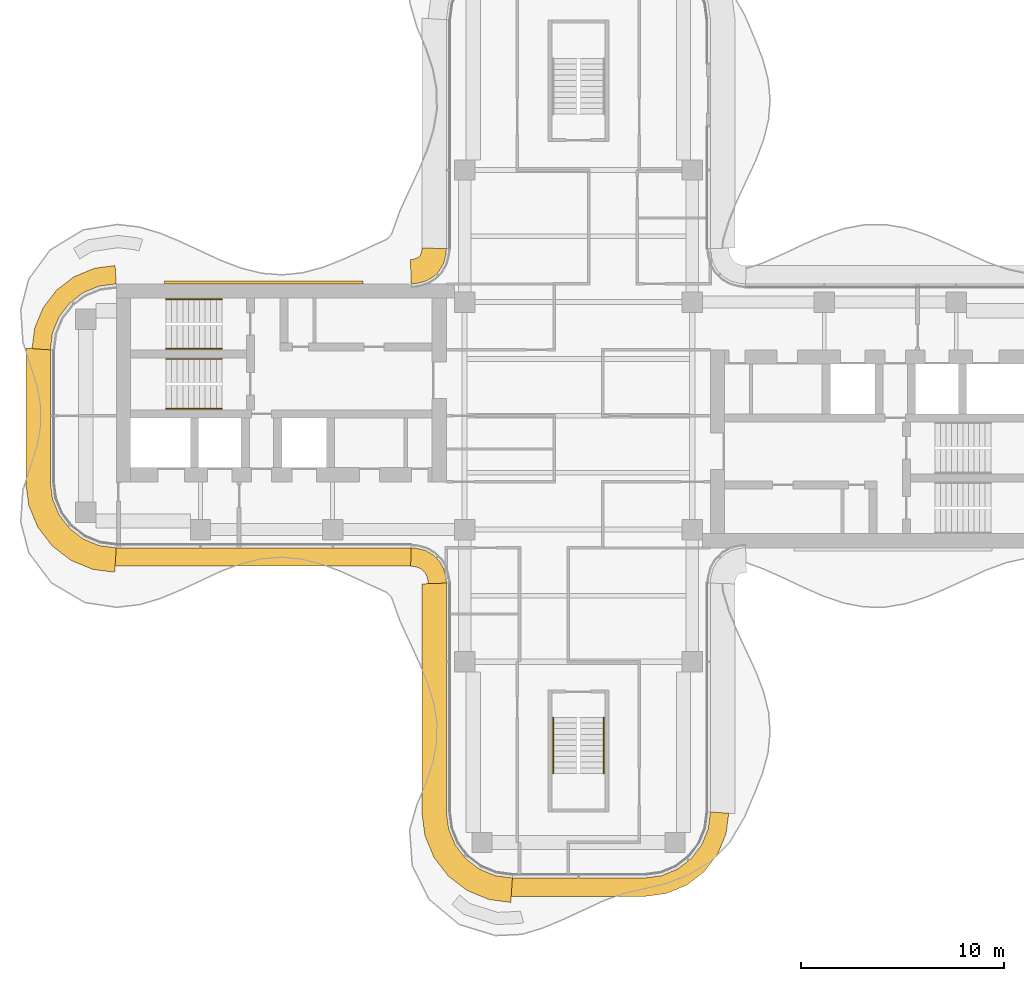
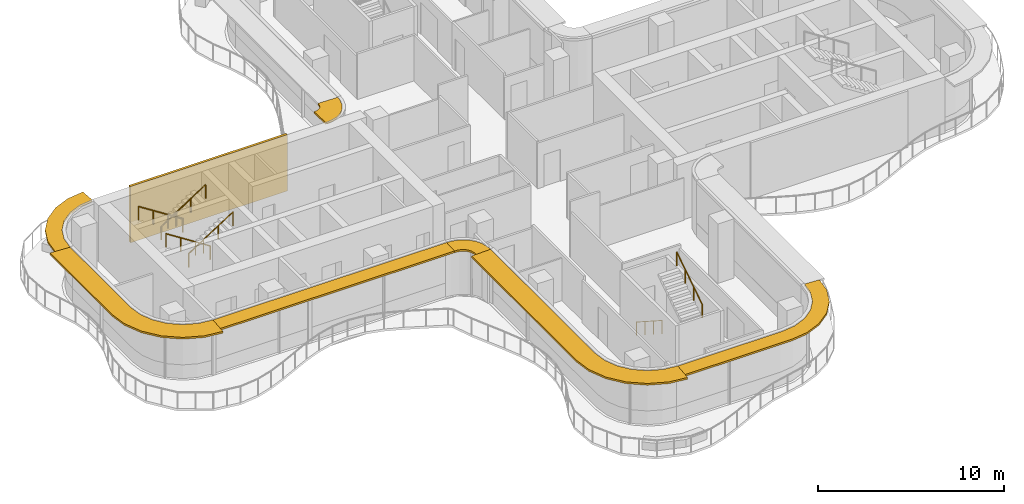
# One storey, part 14 of 15: 7 shading devices, 6 railings, 1 covering.
"""IFC4 building model written with IfcOpenShell, lengths in metres."""

from ifc_helpers import new_model, si_unit, direction, frame, origin, origin_2d, place, context, subcontext, project, spatial, polyline, circle, outline, extrude, source, transform, mapped, material, layer, layer_set, type_object, element, save


model = new_model("IFC4")

# Units and contexts
model_context = context("Model", 3, precision=1e-05, world=origin(), true_north=direction((0.0, 1.0)))
body_context = subcontext(model_context, "Body", "Model", "MODEL_VIEW")
ifc_project = project(units=[si_unit("LENGTHUNIT", "METRE"), si_unit("AREAUNIT", "SQUARE_METRE"), si_unit("VOLUMEUNIT", "CUBIC_METRE"), si_unit("PLANEANGLEUNIT", "RADIAN"), si_unit("MASSUNIT", "GRAM", prefix="KILO")], contexts=[model_context])

# Site, building, storey
site_placement = place(None, origin())
site = spatial("IfcSite", under=ifc_project, at=site_placement, CompositionType="ELEMENT")
building_placement = place(site_placement, origin())
building = spatial("IfcBuilding", under=site, at=building_placement, Name="Trellis Farm Tower", CompositionType="ELEMENT")
storey_placement = place(building_placement, frame((0.0, 0.0, 287.199951171875)))
storey = spatial("IfcBuildingStorey", under=building, at=storey_placement, Name="L64", CompositionType="ELEMENT", Elevation=287.199951171875)

# Railings
ifc_material_1 = material(Name="Stainless steel", Category="steel")
railing_type = type_object("IfcRailingType", Name="STAIR HANDRAIL 900", PredefinedType="HANDRAIL", material=ifc_material_1)
shared_shape_1 = source(origin(), body_context, "Body", "SweptSolid", [
    extrude(circle(Radius=0.02392578125, at=origin_2d()), frame((0.0, 0.0, 0.8759765625), z_axis=(0.0, 0.840503830235, 0.541805602924), x_axis=(-1.0, 0.0, 0.0)), (0.0, 0.0, 1.0), 3.271728515625),
    extrude(circle(Radius=0.02099609375, at=origin_2d()), origin(), (0.0, 0.0, 1.0), 0.851806640625),
    extrude(circle(Radius=0.02099609375, at=origin_2d()), frame((0.0, 0.916748046875, 0.5908203125)), (0.0, 0.0, 1.0), 0.851806640625),
    extrude(circle(Radius=0.02099609375, at=origin_2d()), frame((0.0, 1.833251953125, 1.181884765625)), (0.0, 0.0, 1.0), 0.851806640625),
    extrude(circle(Radius=0.02099609375, at=origin_2d()), frame((0.0, 2.75, 1.772705078125)), (0.0, 0.0, 1.0), 0.851806640625),
])
railing_1_placement = place(storey_placement, frame((1.25, -17.60009765625, 2.12744140625)))
element("IfcRailing", 1, at=railing_1_placement, inside=storey, type_object=railing_type, Name="Stair handrail", PredefinedType="HANDRAIL", context=body_context, shape_type="MappedRepresentation", body=[
    mapped(shared_shape_1, transform((0.0, 0.0, 0.0))),
])
shared_shape_2 = source(origin(), body_context, "Body", "SweptSolid", [
    extrude(circle(Radius=0.02392578125, at=origin_2d()), frame((0.0, 0.0, 0.8759765625), z_axis=(0.0, -0.840503830235, 0.541805602924), x_axis=(1.0, 0.0, 0.0)), (0.0, 0.0, 1.0), 3.271728515625),
    extrude(circle(Radius=0.02099609375, at=origin_2d()), origin(), (0.0, 0.0, 1.0), 0.851806640625),
    extrude(circle(Radius=0.02099609375, at=origin_2d()), frame((0.0, -0.916748046875, 0.5908203125)), (0.0, 0.0, 1.0), 0.851806640625),
    extrude(circle(Radius=0.02099609375, at=origin_2d()), frame((0.0, -1.833251953125, 1.181884765625)), (0.0, 0.0, 1.0), 0.851806640625),
    extrude(circle(Radius=0.02099609375, at=origin_2d()), frame((0.0, -2.75, 1.772705078125)), (0.0, 0.0, 1.0), 0.851806640625),
])
railing_2_placement = place(storey_placement, frame((-1.25, -14.85009765625, 0.17724609375)))
element("IfcRailing", 2, at=railing_2_placement, inside=storey, type_object=railing_type, Name="Stair handrail", PredefinedType="HANDRAIL", context=body_context, shape_type="MappedRepresentation", body=[
    mapped(shared_shape_2, transform((0.0, 0.0, 0.0))),
])
shared_shape_3 = source(origin(), body_context, "Body", "SweptSolid", [
    extrude(circle(Radius=0.02392578125, at=origin_2d()), frame((0.0, 0.0, 0.8759765625), z_axis=(0.840503830235, 0.0, 0.541805602924), x_axis=(0.0, 1.0, 0.0)), (0.0, 0.0, 1.0), 3.271728515625),
    extrude(circle(Radius=0.02099609375, at=origin_2d()), origin(), (0.0, 0.0, 1.0), 0.851806640625),
    extrude(circle(Radius=0.02099609375, at=origin_2d()), frame((0.916748046875, 0.0, 0.5908203125)), (0.0, 0.0, 1.0), 0.851806640625),
    extrude(circle(Radius=0.02099609375, at=origin_2d()), frame((1.833251953125, 0.0, 1.181884765625)), (0.0, 0.0, 1.0), 0.851806640625),
    extrude(circle(Radius=0.02099609375, at=origin_2d()), frame((2.75, 0.0, 1.772705078125)), (0.0, 0.0, 1.0), 0.851806640625),
])
for number, where, name in (
    (3, (-20.300048828125, 3.300048828125, 2.12744140625), "Stair handrail"),
    (4, (-20.300048828125, 0.35009765625, 2.12744140625), "Stair handrail"),
):
    element("IfcRailing", number, at=place(storey_placement, frame(where)), inside=storey, type_object=railing_type, Name=name, PredefinedType="HANDRAIL", context=body_context, shape_type="MappedRepresentation", body=[
        mapped(shared_shape_3, transform((0.0, 0.0, 0.0))),
    ])
shared_shape_4 = source(origin(), body_context, "Body", "SweptSolid", [
    extrude(circle(Radius=0.02392578125, at=origin_2d()), frame((0.0, 0.0, 0.8759765625), z_axis=(-0.840503830235, 0.0, 0.541805602924), x_axis=(0.0, -1.0, 0.0)), (0.0, 0.0, 1.0), 3.271728515625),
    extrude(circle(Radius=0.02099609375, at=origin_2d()), origin(), (0.0, 0.0, 1.0), 0.851806640625),
    extrude(circle(Radius=0.02099609375, at=origin_2d()), frame((-0.916748046875, 0.0, 0.5908203125)), (0.0, 0.0, 1.0), 0.851806640625),
    extrude(circle(Radius=0.02099609375, at=origin_2d()), frame((-1.833251953125, 0.0, 1.181884765625)), (0.0, 0.0, 1.0), 0.851806640625),
    extrude(circle(Radius=0.02099609375, at=origin_2d()), frame((-2.75, 0.0, 1.772705078125)), (0.0, 0.0, 1.0), 0.851806640625),
])
for number, where, name in (
    (5, (-17.550048828125, 5.75, 0.17724609375), "Stair handrail"),
    (6, (-17.550048828125, 2.800048828125, 0.17724609375), "Stair handrail"),
):
    element("IfcRailing", number, at=place(storey_placement, frame(where)), inside=storey, type_object=railing_type, Name=name, PredefinedType="HANDRAIL", context=body_context, shape_type="MappedRepresentation", body=[
        mapped(shared_shape_4, transform((0.0, 0.0, 0.0))),
    ])

# Shading devices
ifc_material_2 = material(Name="Aluminium extrusion 6063-T6", Category="aluminium")
ifc_layer_1 = layer(ifc_material_2, 0.1201171875)
ifc_layer_set_1 = layer_set([ifc_layer_1], Name="SUNSHADE BLADE 900")
shading_device_type_1 = type_object("IfcShadingDeviceType", Name="SUNSHADE BLADE 900", PredefinedType="USERDEFINED", material=ifc_layer_set_1)
shared_shape_5 = source(origin(), body_context, "Body", "SweptSolid", [
    extrude(outline(polyline([(-8.2607421875, -7.39990234375), (-8.107666015625, -7.409912109375), (-8.091552734375, -7.412109375), (-7.85595703125, -7.475341796875), (-7.697021484375, -7.567138671875), (-7.567138671875, -7.697021484375), (-7.475341796875, -7.85595703125), (-7.412109375, -8.091552734375), (-7.409912109375, -8.107666015625), (-7.39990234375, -8.2607421875), (-6.5, -8.2314453125), (-6.513916015625, -8.01953125), (-6.527587890625, -7.91552734375), (-6.63671875, -7.508544921875), (-6.846923828125, -7.144287109375), (-7.144287109375, -6.846923828125), (-7.508544921875, -6.63671875), (-7.91552734375, -6.527587890625), (-8.01953125, -6.513916015625), (-8.2314453125, -6.5), (-8.2607421875, -7.39990234375)])), origin(), (0.0, 0.0, 1.0), 0.1201171875),
])
placement = place(storey_placement, frame((0.0, 0.0, 3.5400390625)))
element("IfcShadingDevice", 7, at=placement, inside=storey, type_object=shading_device_type_1, Name="SD1 002", ObjectType="SUNSHADE", PredefinedType="USERDEFINED", context=body_context, shape_type="MappedRepresentation", body=[
    mapped(shared_shape_5, transform((0.0, 0.0, 0.0))),
])
ifc_layer_2 = layer(ifc_material_2, 0.1201171875)
ifc_layer_set_2 = layer_set([ifc_layer_2], Name="SUNSHADE BLADE 1200")
shading_device_type_2 = type_object("IfcShadingDeviceType", Name="SUNSHADE BLADE 1200", PredefinedType="USERDEFINED", material=ifc_layer_set_2)
shared_shape_6 = source(origin(), body_context, "Body", "SweptSolid", [
    extrude(outline(polyline([(-7.699951171875, 8.270751953125), (-7.708740234375, 8.13720703125), (-7.70703125, 8.150146484375), (-7.7548828125, 7.9716796875), (-7.80712890625, 7.881103515625), (-7.881103515625, 7.80712890625), (-7.9716796875, 7.7548828125), (-8.150146484375, 7.70703125), (-8.13720703125, 7.708740234375), (-8.270751953125, 7.699951171875), (-8.2314453125, 6.5), (-8.01953125, 6.513916015625), (-7.91552734375, 6.527587890625), (-7.508544921875, 6.63671875), (-7.144287109375, 6.846923828125), (-6.846923828125, 7.144287109375), (-6.63671875, 7.508544921875), (-6.527587890625, 7.91552734375), (-6.513916015625, 8.01953125), (-6.5, 8.2314453125), (-7.699951171875, 8.270751953125)])), origin(), (0.0, 0.0, 1.0), 0.1201171875),
])
element("IfcShadingDevice", 8, at=placement, inside=storey, type_object=shading_device_type_2, Name="SD2 014", ObjectType="SUNSHADE", PredefinedType="USERDEFINED", context=body_context, shape_type="MappedRepresentation", body=[
    mapped(shared_shape_6, transform((0.0, 0.0, 0.0))),
])
shared_shape_7 = source(origin(), body_context, "Body", "SweptSolid", [
    extrude(outline(polyline([(-7.699951171875, -8.270751953125), (-7.699951171875, -19.57861328125), (-7.558349609375, -20.654541015625), (-7.11279296875, -21.730224609375), (-6.404052734375, -22.654052734375), (-5.480224609375, -23.36279296875), (-4.404541015625, -23.808349609375), (-3.32861328125, -23.949951171875), (-3.25, -22.75), (-4.091064453125, -22.63916015625), (-4.875, -22.314697265625), (-5.548095703125, -21.798095703125), (-6.064697265625, -21.125), (-6.38916015625, -20.341064453125), (-6.5, -19.5), (-6.5, -8.2314453125), (-7.699951171875, -8.270751953125)])), origin(), (0.0, 0.0, 1.0), 0.1201171875),
])
element("IfcShadingDevice", 9, at=placement, inside=storey, type_object=shading_device_type_2, Name="SD2 003", ObjectType="SUNSHADE", PredefinedType="USERDEFINED", context=body_context, shape_type="MappedRepresentation", body=[
    mapped(shared_shape_7, transform((0.0, 0.0, 0.0))),
])
shared_shape_8 = source(origin(), body_context, "Body", "SweptSolid", [
    extrude(outline(polyline([(-3.30908203125, -23.64990234375), (3.30908203125, -23.64990234375), (4.326171875, -23.51611328125), (5.328857421875, -23.100830078125), (6.18994140625, -22.43994140625), (6.850830078125, -21.578857421875), (7.26611328125, -20.576171875), (7.39990234375, -19.55908203125), (6.5, -19.5), (6.38916015625, -20.341064453125), (6.064697265625, -21.125), (5.548095703125, -21.798095703125), (4.875, -22.314697265625), (4.091064453125, -22.63916015625), (3.25, -22.75), (-3.25, -22.75), (-3.30908203125, -23.64990234375)])), origin(), (0.0, 0.0, 1.0), 0.1201171875),
])
element("IfcShadingDevice", 10, at=placement, inside=storey, type_object=shading_device_type_1, Name="SD1 004", ObjectType="SUNSHADE", PredefinedType="USERDEFINED", context=body_context, shape_type="MappedRepresentation", body=[
    mapped(shared_shape_8, transform((0.0, 0.0, 0.0))),
])
shared_shape_9 = source(origin(), body_context, "Body", "SweptSolid", [
    extrude(outline(polyline([(-22.80908203125, -7.39990234375), (-8.2607421875, -7.39990234375), (-8.2314453125, -6.5), (-22.75, -6.5), (-22.80908203125, -7.39990234375)])), origin(), (0.0, 0.0, 1.0), 0.1201171875),
])
element("IfcShadingDevice", 11, at=placement, inside=storey, type_object=shading_device_type_1, Name="SD1 001", ObjectType="SUNSHADE", PredefinedType="USERDEFINED", context=body_context, shape_type="MappedRepresentation", body=[
    mapped(shared_shape_9, transform((0.0, 0.0, 0.0))),
])
shared_shape_10 = source(origin(), body_context, "Body", "SweptSolid", [
    extrude(outline(polyline([(-22.80908203125, 7.39990234375), (-23.826171875, 7.26611328125), (-24.828857421875, 6.850830078125), (-25.68994140625, 6.18994140625), (-26.350830078125, 5.328857421875), (-26.76611328125, 4.326171875), (-26.89990234375, 3.30908203125), (-26.0, 3.25), (-25.88916015625, 4.091064453125), (-25.564697265625, 4.875), (-25.048095703125, 5.548095703125), (-24.375, 6.064697265625), (-23.591064453125, 6.38916015625), (-22.75, 6.5), (-22.80908203125, 7.39990234375)])), origin(), (0.0, 0.0, 1.0), 0.1201171875),
])
element("IfcShadingDevice", 12, at=placement, inside=storey, type_object=shading_device_type_1, Name="SD1 015", ObjectType="SUNSHADE", PredefinedType="USERDEFINED", context=body_context, shape_type="MappedRepresentation", body=[
    mapped(shared_shape_10, transform((0.0, 0.0, 0.0))),
])
shared_shape_11 = source(origin(), body_context, "Body", "SweptSolid", [
    extrude(outline(polyline([(-27.199951171875, 3.32861328125), (-27.199951171875, -3.32861328125), (-27.058349609375, -4.404541015625), (-26.61279296875, -5.480224609375), (-25.904052734375, -6.404052734375), (-24.980224609375, -7.11279296875), (-23.904541015625, -7.558349609375), (-22.82861328125, -7.699951171875), (-22.75, -6.5), (-23.591064453125, -6.38916015625), (-24.375, -6.064697265625), (-25.048095703125, -5.548095703125), (-25.564697265625, -4.875), (-25.88916015625, -4.091064453125), (-26.0, -3.25), (-26.0, 3.25), (-27.199951171875, 3.32861328125)])), origin(), (0.0, 0.0, 1.0), 0.1201171875),
])
element("IfcShadingDevice", 13, at=placement, inside=storey, type_object=shading_device_type_2, Name="SD2 016", ObjectType="SUNSHADE", PredefinedType="USERDEFINED", context=body_context, shape_type="MappedRepresentation", body=[
    mapped(shared_shape_11, transform((0.0, 0.0, 0.0))),
])

# Covering
ifc_material_3 = material(Name="Perforated precast screen (cobogo)", Category="concrete")
ifc_layer_3 = layer(ifc_material_3, 0.14990234375)
ifc_layer_set_3 = layer_set([ifc_layer_3], Name="COBOGO SCREEN PANEL")
covering_type = type_object("IfcCoveringType", Name="COBOGO SCREEN PANEL", PredefinedType="USERDEFINED", material=ifc_layer_set_3)
shared_shape_12 = source(origin(), body_context, "Body", "SweptSolid", [
    extrude(outline(polyline([(-10.61572265625, 6.64990234375), (-20.36572265625, 6.64990234375), (-20.36572265625, 6.5), (-10.61572265625, 6.5), (-10.61572265625, 6.64990234375)])), origin(), (0.0, 0.0, 1.0), 3.699951171875),
])
covering_placement = place(storey_placement, origin())
element("IfcCovering", 14, at=covering_placement, inside=storey, type_object=covering_type, Name="SC1 02", ObjectType="SCREEN", PredefinedType="USERDEFINED", context=body_context, shape_type="MappedRepresentation", body=[
    mapped(shared_shape_12, transform((0.0, 0.0, 0.0))),
])

save(model, "model.ifc")
